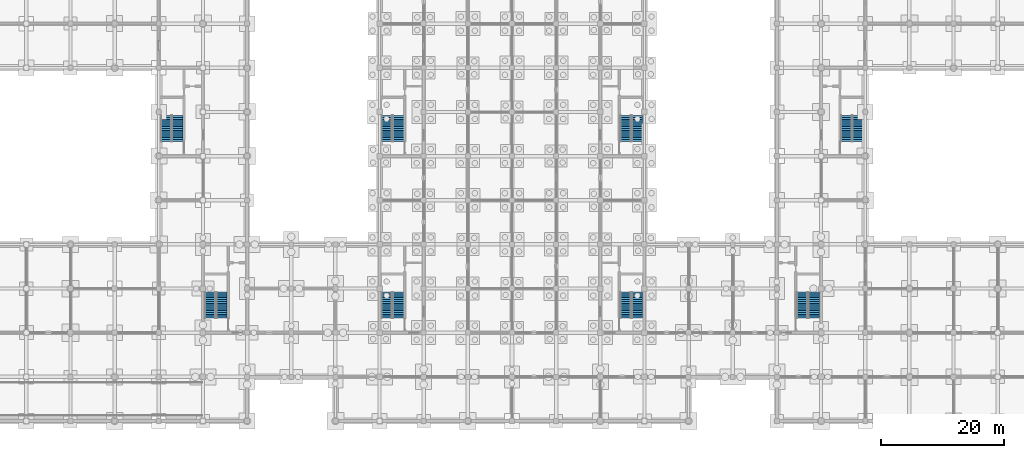
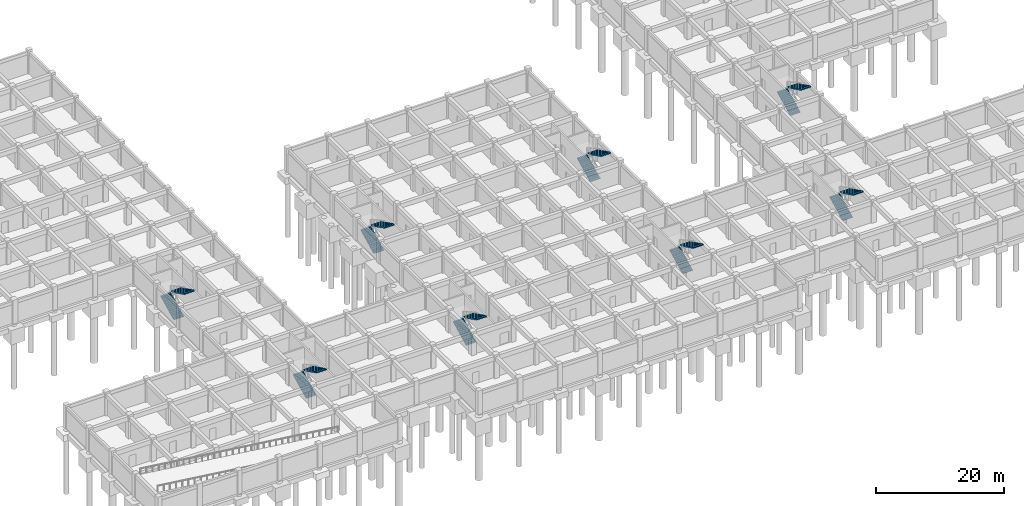
# One storey, part 24 of 25: 16 stair flights, 8 elements without a shape of their own.
"""IFC4 building model written with IfcOpenShell, lengths in metres."""

from ifc_helpers import new_model, si_unit, direction, frame, origin, place, context, subcontext, project, spatial, polyline, outline, extrude, material, type_object, element, aggregate, save


model = new_model("IFC4")

# Units and contexts
model_context = context("Model", 3, precision=1e-05, world=origin(), true_north=direction((0.0, 1.0)))
body_context = subcontext(model_context, "Body", "Model", "MODEL_VIEW")
ifc_project = project(units=[si_unit("LENGTHUNIT", "METRE"), si_unit("AREAUNIT", "SQUARE_METRE"), si_unit("VOLUMEUNIT", "CUBIC_METRE"), si_unit("PLANEANGLEUNIT", "RADIAN"), si_unit("MASSUNIT", "GRAM", prefix="KILO")], contexts=[model_context])

# Site, building, storey
site_placement = place(None, origin())
site = spatial("IfcSite", under=ifc_project, at=site_placement, CompositionType="ELEMENT")
building_placement = place(site_placement, origin())
building = spatial("IfcBuilding", under=site, at=building_placement, Name="Cendaluz Park School", CompositionType="ELEMENT")
storey_placement = place(building_placement, frame((0.0, 0.0, -4.5)))
storey = spatial("IfcBuildingStorey", under=building, at=storey_placement, Name="B1", CompositionType="ELEMENT", Elevation=-4.5)

# Stair, stair flights
ifc_material = material(Name="Concrete C40/50", Category="concrete")
stair_type = type_object("IfcStairType", Name="ST-450-180", PredefinedType="HALF_TURN_STAIR", material=ifc_material)
stair_1_placement = place(storey_placement, origin())
stair_1 = element("IfcStair", 1, at=stair_1_placement, inside=storey, type_object=stair_type, Name="ST-B1-C1", PredefinedType="HALF_TURN_STAIR")
stair_flight_type = type_object("IfcStairFlightType", Name="SF-15-150-180", PredefinedType="STRAIGHT", material=ifc_material)
stair_flight_1_placement = place(storey_placement, frame((65.989990234375, 16.800048828125, 0.0), z_axis=(0.0, 0.0, 1.0), x_axis=(0.0, 1.0, 0.0)))
stair_flight_1 = element("IfcStairFlight", 2, at=stair_flight_1_placement, type_object=stair_flight_type, Name="SF-B1-C1-1", NumberOfRisers=15, NumberOfTreads=14, PredefinedType="STRAIGHT", RiserHeight=0.15, TreadLength=0.3, context=body_context, shape_type="SweptSolid", body=[
    extrude(outline(polyline([(0.0, 0.0), (0.0, 0.14990234375), (0.300048828125, 0.14990234375), (0.300048828125, 0.300048828125), (0.60009765625, 0.300048828125), (0.60009765625, 0.449951171875), (0.89990234375, 0.449951171875), (0.89990234375, 0.60009765625), (1.199951171875, 0.60009765625), (1.199951171875, 0.75), (1.5, 0.75), (1.5, 0.89990234375), (1.800048828125, 0.89990234375), (1.800048828125, 1.050048828125), (2.10009765625, 1.050048828125), (2.10009765625, 1.199951171875), (2.39990234375, 1.199951171875), (2.39990234375, 1.35009765625), (2.699951171875, 1.35009765625), (2.699951171875, 1.5), (3.0, 1.5), (3.0, 1.64990234375), (3.300048828125, 1.64990234375), (3.300048828125, 1.800048828125), (3.60009765625, 1.800048828125), (3.60009765625, 1.949951171875), (3.89990234375, 1.949951171875), (3.89990234375, 2.10009765625), (4.199951171875, 2.10009765625), (4.199951171875, 2.25), (4.199951171875, 1.89892578125), (0.40234375, 0.0), (0.0, 0.0)])), frame((0.0, 0.89990234375, 0.0), z_axis=(0.0, -1.0, 0.0), x_axis=(1.0, 0.0, 0.0)), (0.0, 0.0, 1.0), 1.800048828125),
])
stair_flight_2_placement = place(storey_placement, frame((67.860107421875, 21.0, 2.25), z_axis=(0.0, 0.0, 1.0), x_axis=(0.0, -1.0, 0.0)))
stair_flight_2 = element("IfcStairFlight", 3, at=stair_flight_2_placement, type_object=stair_flight_type, Name="SF-B1-C1-2", NumberOfRisers=15, NumberOfTreads=14, PredefinedType="STRAIGHT", RiserHeight=0.15, TreadLength=0.3, context=body_context, shape_type="SweptSolid", body=[
    extrude(outline(polyline([(0.0, 0.0), (0.0, 0.14990234375), (0.300048828125, 0.14990234375), (0.300048828125, 0.300048828125), (0.60009765625, 0.300048828125), (0.60009765625, 0.449951171875), (0.89990234375, 0.449951171875), (0.89990234375, 0.60009765625), (1.199951171875, 0.60009765625), (1.199951171875, 0.75), (1.5, 0.75), (1.5, 0.89990234375), (1.800048828125, 0.89990234375), (1.800048828125, 1.050048828125), (2.10009765625, 1.050048828125), (2.10009765625, 1.199951171875), (2.39990234375, 1.199951171875), (2.39990234375, 1.35009765625), (2.699951171875, 1.35009765625), (2.699951171875, 1.5), (3.0, 1.5), (3.0, 1.64990234375), (3.300048828125, 1.64990234375), (3.300048828125, 1.800048828125), (3.60009765625, 1.800048828125), (3.60009765625, 1.949951171875), (3.89990234375, 1.949951171875), (3.89990234375, 2.10009765625), (4.199951171875, 2.10009765625), (4.199951171875, 2.25), (4.199951171875, 1.89892578125), (0.40234375, 0.0), (0.0, 0.0)])), frame((0.0, 0.89990234375, 0.0), z_axis=(0.0, -1.0, 0.0), x_axis=(1.0, 0.0, 0.0)), (0.0, 0.0, 1.0), 1.800048828125),
])
aggregate(stair_1, [stair_flight_1, stair_flight_2])

stair_2_placement = place(storey_placement, origin())
stair_2 = element("IfcStair", 4, at=stair_2_placement, inside=storey, type_object=stair_type, Name="ST-B1-C2", PredefinedType="HALF_TURN_STAIR")
stair_flight_3_placement = place(storey_placement, frame((104.93994140625, 16.800048828125, 0.0), z_axis=(0.0, 0.0, 1.0), x_axis=(0.0, 1.0, 0.0)))
stair_flight_3 = element("IfcStairFlight", 5, at=stair_flight_3_placement, type_object=stair_flight_type, Name="SF-B1-C2-1", NumberOfRisers=15, NumberOfTreads=14, PredefinedType="STRAIGHT", RiserHeight=0.15, TreadLength=0.3, context=body_context, shape_type="SweptSolid", body=[
    extrude(outline(polyline([(0.0, 0.0), (0.0, 0.14990234375), (0.300048828125, 0.14990234375), (0.300048828125, 0.300048828125), (0.60009765625, 0.300048828125), (0.60009765625, 0.449951171875), (0.89990234375, 0.449951171875), (0.89990234375, 0.60009765625), (1.199951171875, 0.60009765625), (1.199951171875, 0.75), (1.5, 0.75), (1.5, 0.89990234375), (1.800048828125, 0.89990234375), (1.800048828125, 1.050048828125), (2.10009765625, 1.050048828125), (2.10009765625, 1.199951171875), (2.39990234375, 1.199951171875), (2.39990234375, 1.35009765625), (2.699951171875, 1.35009765625), (2.699951171875, 1.5), (3.0, 1.5), (3.0, 1.64990234375), (3.300048828125, 1.64990234375), (3.300048828125, 1.800048828125), (3.60009765625, 1.800048828125), (3.60009765625, 1.949951171875), (3.89990234375, 1.949951171875), (3.89990234375, 2.10009765625), (4.199951171875, 2.10009765625), (4.199951171875, 2.25), (4.199951171875, 1.89892578125), (0.40234375, 0.0), (0.0, 0.0)])), frame((0.0, 0.89990234375, 0.0), z_axis=(0.0, -1.0, 0.0), x_axis=(1.0, 0.0, 0.0)), (0.0, 0.0, 1.0), 1.800048828125),
])
stair_flight_4_placement = place(storey_placement, frame((106.81005859375, 21.0, 2.25), z_axis=(0.0, 0.0, 1.0), x_axis=(0.0, -1.0, 0.0)))
stair_flight_4 = element("IfcStairFlight", 6, at=stair_flight_4_placement, type_object=stair_flight_type, Name="SF-B1-C2-2", NumberOfRisers=15, NumberOfTreads=14, PredefinedType="STRAIGHT", RiserHeight=0.15, TreadLength=0.3, context=body_context, shape_type="SweptSolid", body=[
    extrude(outline(polyline([(0.0, 0.0), (0.0, 0.14990234375), (0.300048828125, 0.14990234375), (0.300048828125, 0.300048828125), (0.60009765625, 0.300048828125), (0.60009765625, 0.449951171875), (0.89990234375, 0.449951171875), (0.89990234375, 0.60009765625), (1.199951171875, 0.60009765625), (1.199951171875, 0.75), (1.5, 0.75), (1.5, 0.89990234375), (1.800048828125, 0.89990234375), (1.800048828125, 1.050048828125), (2.10009765625, 1.050048828125), (2.10009765625, 1.199951171875), (2.39990234375, 1.199951171875), (2.39990234375, 1.35009765625), (2.699951171875, 1.35009765625), (2.699951171875, 1.5), (3.0, 1.5), (3.0, 1.64990234375), (3.300048828125, 1.64990234375), (3.300048828125, 1.800048828125), (3.60009765625, 1.800048828125), (3.60009765625, 1.949951171875), (3.89990234375, 1.949951171875), (3.89990234375, 2.10009765625), (4.199951171875, 2.10009765625), (4.199951171875, 2.25), (4.199951171875, 1.89892578125), (0.40234375, 0.0), (0.0, 0.0)])), frame((0.0, 0.89990234375, 0.0), z_axis=(0.0, -1.0, 0.0), x_axis=(1.0, 0.0, 0.0)), (0.0, 0.0, 1.0), 1.800048828125),
])
aggregate(stair_2, [stair_flight_3, stair_flight_4])

stair_3_placement = place(storey_placement, origin())
stair_3 = element("IfcStair", 7, at=stair_3_placement, inside=storey, type_object=stair_type, Name="ST-B1-C3", PredefinedType="HALF_TURN_STAIR")
stair_flight_5_placement = place(storey_placement, frame((65.989990234375, 45.60009765625, 0.0), z_axis=(0.0, 0.0, 1.0), x_axis=(0.0, 1.0, 0.0)))
stair_flight_5 = element("IfcStairFlight", 8, at=stair_flight_5_placement, type_object=stair_flight_type, Name="SF-B1-C3-1", NumberOfRisers=15, NumberOfTreads=14, PredefinedType="STRAIGHT", RiserHeight=0.15, TreadLength=0.3, context=body_context, shape_type="SweptSolid", body=[
    extrude(outline(polyline([(0.0, 0.0), (0.0, 0.14990234375), (0.300048828125, 0.14990234375), (0.300048828125, 0.300048828125), (0.60009765625, 0.300048828125), (0.60009765625, 0.449951171875), (0.89990234375, 0.449951171875), (0.89990234375, 0.60009765625), (1.199951171875, 0.60009765625), (1.199951171875, 0.75), (1.5, 0.75), (1.5, 0.89990234375), (1.800048828125, 0.89990234375), (1.800048828125, 1.050048828125), (2.10009765625, 1.050048828125), (2.10009765625, 1.199951171875), (2.39990234375, 1.199951171875), (2.39990234375, 1.35009765625), (2.699951171875, 1.35009765625), (2.699951171875, 1.5), (3.0, 1.5), (3.0, 1.64990234375), (3.300048828125, 1.64990234375), (3.300048828125, 1.800048828125), (3.60009765625, 1.800048828125), (3.60009765625, 1.949951171875), (3.89990234375, 1.949951171875), (3.89990234375, 2.10009765625), (4.199951171875, 2.10009765625), (4.199951171875, 2.25), (4.199951171875, 1.89892578125), (0.40234375, 0.0), (0.0, 0.0)])), frame((0.0, 0.89990234375, 0.0), z_axis=(0.0, -1.0, 0.0), x_axis=(1.0, 0.0, 0.0)), (0.0, 0.0, 1.0), 1.800048828125),
])
stair_flight_6_placement = place(storey_placement, frame((67.860107421875, 49.800048828125, 2.25), z_axis=(0.0, 0.0, 1.0), x_axis=(0.0, -1.0, 0.0)))
stair_flight_6 = element("IfcStairFlight", 9, at=stair_flight_6_placement, type_object=stair_flight_type, Name="SF-B1-C3-2", NumberOfRisers=15, NumberOfTreads=14, PredefinedType="STRAIGHT", RiserHeight=0.15, TreadLength=0.3, context=body_context, shape_type="SweptSolid", body=[
    extrude(outline(polyline([(0.0, 0.0), (0.0, 0.14990234375), (0.300048828125, 0.14990234375), (0.300048828125, 0.300048828125), (0.60009765625, 0.300048828125), (0.60009765625, 0.449951171875), (0.89990234375, 0.449951171875), (0.89990234375, 0.60009765625), (1.199951171875, 0.60009765625), (1.199951171875, 0.75), (1.5, 0.75), (1.5, 0.89990234375), (1.800048828125, 0.89990234375), (1.800048828125, 1.050048828125), (2.10009765625, 1.050048828125), (2.10009765625, 1.199951171875), (2.39990234375, 1.199951171875), (2.39990234375, 1.35009765625), (2.699951171875, 1.35009765625), (2.699951171875, 1.5), (3.0, 1.5), (3.0, 1.64990234375), (3.300048828125, 1.64990234375), (3.300048828125, 1.800048828125), (3.60009765625, 1.800048828125), (3.60009765625, 1.949951171875), (3.89990234375, 1.949951171875), (3.89990234375, 2.10009765625), (4.199951171875, 2.10009765625), (4.199951171875, 2.25), (4.199951171875, 1.89892578125), (0.40234375, 0.0), (0.0, 0.0)])), frame((0.0, 0.89990234375, 0.0), z_axis=(0.0, -1.0, 0.0), x_axis=(1.0, 0.0, 0.0)), (0.0, 0.0, 1.0), 1.800048828125),
])
aggregate(stair_3, [stair_flight_5, stair_flight_6])

stair_4_placement = place(storey_placement, origin())
stair_4 = element("IfcStair", 10, at=stair_4_placement, inside=storey, type_object=stair_type, Name="ST-B1-C4", PredefinedType="HALF_TURN_STAIR")
stair_flight_7_placement = place(storey_placement, frame((104.93994140625, 45.60009765625, 0.0), z_axis=(0.0, 0.0, 1.0), x_axis=(0.0, 1.0, 0.0)))
stair_flight_7 = element("IfcStairFlight", 11, at=stair_flight_7_placement, type_object=stair_flight_type, Name="SF-B1-C4-1", NumberOfRisers=15, NumberOfTreads=14, PredefinedType="STRAIGHT", RiserHeight=0.15, TreadLength=0.3, context=body_context, shape_type="SweptSolid", body=[
    extrude(outline(polyline([(0.0, 0.0), (0.0, 0.14990234375), (0.300048828125, 0.14990234375), (0.300048828125, 0.300048828125), (0.60009765625, 0.300048828125), (0.60009765625, 0.449951171875), (0.89990234375, 0.449951171875), (0.89990234375, 0.60009765625), (1.199951171875, 0.60009765625), (1.199951171875, 0.75), (1.5, 0.75), (1.5, 0.89990234375), (1.800048828125, 0.89990234375), (1.800048828125, 1.050048828125), (2.10009765625, 1.050048828125), (2.10009765625, 1.199951171875), (2.39990234375, 1.199951171875), (2.39990234375, 1.35009765625), (2.699951171875, 1.35009765625), (2.699951171875, 1.5), (3.0, 1.5), (3.0, 1.64990234375), (3.300048828125, 1.64990234375), (3.300048828125, 1.800048828125), (3.60009765625, 1.800048828125), (3.60009765625, 1.949951171875), (3.89990234375, 1.949951171875), (3.89990234375, 2.10009765625), (4.199951171875, 2.10009765625), (4.199951171875, 2.25), (4.199951171875, 1.89892578125), (0.40234375, 0.0), (0.0, 0.0)])), frame((0.0, 0.89990234375, 0.0), z_axis=(0.0, -1.0, 0.0), x_axis=(1.0, 0.0, 0.0)), (0.0, 0.0, 1.0), 1.800048828125),
])
stair_flight_8_placement = place(storey_placement, frame((106.81005859375, 49.800048828125, 2.25), z_axis=(0.0, 0.0, 1.0), x_axis=(0.0, -1.0, 0.0)))
stair_flight_8 = element("IfcStairFlight", 12, at=stair_flight_8_placement, type_object=stair_flight_type, Name="SF-B1-C4-2", NumberOfRisers=15, NumberOfTreads=14, PredefinedType="STRAIGHT", RiserHeight=0.15, TreadLength=0.3, context=body_context, shape_type="SweptSolid", body=[
    extrude(outline(polyline([(0.0, 0.0), (0.0, 0.14990234375), (0.300048828125, 0.14990234375), (0.300048828125, 0.300048828125), (0.60009765625, 0.300048828125), (0.60009765625, 0.449951171875), (0.89990234375, 0.449951171875), (0.89990234375, 0.60009765625), (1.199951171875, 0.60009765625), (1.199951171875, 0.75), (1.5, 0.75), (1.5, 0.89990234375), (1.800048828125, 0.89990234375), (1.800048828125, 1.050048828125), (2.10009765625, 1.050048828125), (2.10009765625, 1.199951171875), (2.39990234375, 1.199951171875), (2.39990234375, 1.35009765625), (2.699951171875, 1.35009765625), (2.699951171875, 1.5), (3.0, 1.5), (3.0, 1.64990234375), (3.300048828125, 1.64990234375), (3.300048828125, 1.800048828125), (3.60009765625, 1.800048828125), (3.60009765625, 1.949951171875), (3.89990234375, 1.949951171875), (3.89990234375, 2.10009765625), (4.199951171875, 2.10009765625), (4.199951171875, 2.25), (4.199951171875, 1.89892578125), (0.40234375, 0.0), (0.0, 0.0)])), frame((0.0, 0.89990234375, 0.0), z_axis=(0.0, -1.0, 0.0), x_axis=(1.0, 0.0, 0.0)), (0.0, 0.0, 1.0), 1.800048828125),
])
aggregate(stair_4, [stair_flight_7, stair_flight_8])

stair_5_placement = place(storey_placement, origin())
stair_5 = element("IfcStair", 13, at=stair_5_placement, inside=storey, type_object=stair_type, Name="ST-B1-C5", PredefinedType="HALF_TURN_STAIR")
stair_flight_9_placement = place(storey_placement, frame((37.18994140625, 16.800048828125, 0.0), z_axis=(0.0, 0.0, 1.0), x_axis=(0.0, 1.0, 0.0)))
stair_flight_9 = element("IfcStairFlight", 14, at=stair_flight_9_placement, type_object=stair_flight_type, Name="SF-B1-C5-1", NumberOfRisers=15, NumberOfTreads=14, PredefinedType="STRAIGHT", RiserHeight=0.15, TreadLength=0.3, context=body_context, shape_type="SweptSolid", body=[
    extrude(outline(polyline([(0.0, 0.0), (0.0, 0.14990234375), (0.300048828125, 0.14990234375), (0.300048828125, 0.300048828125), (0.60009765625, 0.300048828125), (0.60009765625, 0.449951171875), (0.89990234375, 0.449951171875), (0.89990234375, 0.60009765625), (1.199951171875, 0.60009765625), (1.199951171875, 0.75), (1.5, 0.75), (1.5, 0.89990234375), (1.800048828125, 0.89990234375), (1.800048828125, 1.050048828125), (2.10009765625, 1.050048828125), (2.10009765625, 1.199951171875), (2.39990234375, 1.199951171875), (2.39990234375, 1.35009765625), (2.699951171875, 1.35009765625), (2.699951171875, 1.5), (3.0, 1.5), (3.0, 1.64990234375), (3.300048828125, 1.64990234375), (3.300048828125, 1.800048828125), (3.60009765625, 1.800048828125), (3.60009765625, 1.949951171875), (3.89990234375, 1.949951171875), (3.89990234375, 2.10009765625), (4.199951171875, 2.10009765625), (4.199951171875, 2.25), (4.199951171875, 1.89892578125), (0.40234375, 0.0), (0.0, 0.0)])), frame((0.0, 0.89990234375, 0.0), z_axis=(0.0, -1.0, 0.0), x_axis=(1.0, 0.0, 0.0)), (0.0, 0.0, 1.0), 1.800048828125),
])
stair_flight_10_placement = place(storey_placement, frame((39.06005859375, 21.0, 2.25), z_axis=(0.0, 0.0, 1.0), x_axis=(0.0, -1.0, 0.0)))
stair_flight_10 = element("IfcStairFlight", 15, at=stair_flight_10_placement, type_object=stair_flight_type, Name="SF-B1-C5-2", NumberOfRisers=15, NumberOfTreads=14, PredefinedType="STRAIGHT", RiserHeight=0.15, TreadLength=0.3, context=body_context, shape_type="SweptSolid", body=[
    extrude(outline(polyline([(0.0, 0.0), (0.0, 0.14990234375), (0.300048828125, 0.14990234375), (0.300048828125, 0.300048828125), (0.60009765625, 0.300048828125), (0.60009765625, 0.449951171875), (0.89990234375, 0.449951171875), (0.89990234375, 0.60009765625), (1.199951171875, 0.60009765625), (1.199951171875, 0.75), (1.5, 0.75), (1.5, 0.89990234375), (1.800048828125, 0.89990234375), (1.800048828125, 1.050048828125), (2.10009765625, 1.050048828125), (2.10009765625, 1.199951171875), (2.39990234375, 1.199951171875), (2.39990234375, 1.35009765625), (2.699951171875, 1.35009765625), (2.699951171875, 1.5), (3.0, 1.5), (3.0, 1.64990234375), (3.300048828125, 1.64990234375), (3.300048828125, 1.800048828125), (3.60009765625, 1.800048828125), (3.60009765625, 1.949951171875), (3.89990234375, 1.949951171875), (3.89990234375, 2.10009765625), (4.199951171875, 2.10009765625), (4.199951171875, 2.25), (4.199951171875, 1.89892578125), (0.40234375, 0.0), (0.0, 0.0)])), frame((0.0, 0.89990234375, 0.0), z_axis=(0.0, -1.0, 0.0), x_axis=(1.0, 0.0, 0.0)), (0.0, 0.0, 1.0), 1.800048828125),
])
aggregate(stair_5, [stair_flight_9, stair_flight_10])

stair_6_placement = place(storey_placement, origin())
stair_6 = element("IfcStair", 16, at=stair_6_placement, inside=storey, type_object=stair_type, Name="ST-B1-C6", PredefinedType="HALF_TURN_STAIR")
stair_flight_11_placement = place(storey_placement, frame((133.739990234375, 16.800048828125, 0.0), z_axis=(0.0, 0.0, 1.0), x_axis=(0.0, 1.0, 0.0)))
stair_flight_11 = element("IfcStairFlight", 17, at=stair_flight_11_placement, type_object=stair_flight_type, Name="SF-B1-C6-1", NumberOfRisers=15, NumberOfTreads=14, PredefinedType="STRAIGHT", RiserHeight=0.15, TreadLength=0.3, context=body_context, shape_type="SweptSolid", body=[
    extrude(outline(polyline([(0.0, 0.0), (0.0, 0.14990234375), (0.300048828125, 0.14990234375), (0.300048828125, 0.300048828125), (0.60009765625, 0.300048828125), (0.60009765625, 0.449951171875), (0.89990234375, 0.449951171875), (0.89990234375, 0.60009765625), (1.199951171875, 0.60009765625), (1.199951171875, 0.75), (1.5, 0.75), (1.5, 0.89990234375), (1.800048828125, 0.89990234375), (1.800048828125, 1.050048828125), (2.10009765625, 1.050048828125), (2.10009765625, 1.199951171875), (2.39990234375, 1.199951171875), (2.39990234375, 1.35009765625), (2.699951171875, 1.35009765625), (2.699951171875, 1.5), (3.0, 1.5), (3.0, 1.64990234375), (3.300048828125, 1.64990234375), (3.300048828125, 1.800048828125), (3.60009765625, 1.800048828125), (3.60009765625, 1.949951171875), (3.89990234375, 1.949951171875), (3.89990234375, 2.10009765625), (4.199951171875, 2.10009765625), (4.199951171875, 2.25), (4.199951171875, 1.89892578125), (0.40234375, 0.0), (0.0, 0.0)])), frame((0.0, 0.89990234375, 0.0), z_axis=(0.0, -1.0, 0.0), x_axis=(1.0, 0.0, 0.0)), (0.0, 0.0, 1.0), 1.800048828125),
])
stair_flight_12_placement = place(storey_placement, frame((135.610107421875, 21.0, 2.25), z_axis=(0.0, 0.0, 1.0), x_axis=(0.0, -1.0, 0.0)))
stair_flight_12 = element("IfcStairFlight", 18, at=stair_flight_12_placement, type_object=stair_flight_type, Name="SF-B1-C6-2", NumberOfRisers=15, NumberOfTreads=14, PredefinedType="STRAIGHT", RiserHeight=0.15, TreadLength=0.3, context=body_context, shape_type="SweptSolid", body=[
    extrude(outline(polyline([(0.0, 0.0), (0.0, 0.14990234375), (0.300048828125, 0.14990234375), (0.300048828125, 0.300048828125), (0.60009765625, 0.300048828125), (0.60009765625, 0.449951171875), (0.89990234375, 0.449951171875), (0.89990234375, 0.60009765625), (1.199951171875, 0.60009765625), (1.199951171875, 0.75), (1.5, 0.75), (1.5, 0.89990234375), (1.800048828125, 0.89990234375), (1.800048828125, 1.050048828125), (2.10009765625, 1.050048828125), (2.10009765625, 1.199951171875), (2.39990234375, 1.199951171875), (2.39990234375, 1.35009765625), (2.699951171875, 1.35009765625), (2.699951171875, 1.5), (3.0, 1.5), (3.0, 1.64990234375), (3.300048828125, 1.64990234375), (3.300048828125, 1.800048828125), (3.60009765625, 1.800048828125), (3.60009765625, 1.949951171875), (3.89990234375, 1.949951171875), (3.89990234375, 2.10009765625), (4.199951171875, 2.10009765625), (4.199951171875, 2.25), (4.199951171875, 1.89892578125), (0.40234375, 0.0), (0.0, 0.0)])), frame((0.0, 0.89990234375, 0.0), z_axis=(0.0, -1.0, 0.0), x_axis=(1.0, 0.0, 0.0)), (0.0, 0.0, 1.0), 1.800048828125),
])
aggregate(stair_6, [stair_flight_11, stair_flight_12])

stair_7_placement = place(storey_placement, origin())
stair_7 = element("IfcStair", 19, at=stair_7_placement, inside=storey, type_object=stair_type, Name="ST-B1-C7", PredefinedType="HALF_TURN_STAIR")
stair_flight_13_placement = place(storey_placement, frame((29.989990234375, 45.60009765625, 0.0), z_axis=(0.0, 0.0, 1.0), x_axis=(0.0, 1.0, 0.0)))
stair_flight_13 = element("IfcStairFlight", 20, at=stair_flight_13_placement, type_object=stair_flight_type, Name="SF-B1-C7-1", NumberOfRisers=15, NumberOfTreads=14, PredefinedType="STRAIGHT", RiserHeight=0.15, TreadLength=0.3, context=body_context, shape_type="SweptSolid", body=[
    extrude(outline(polyline([(0.0, 0.0), (0.0, 0.14990234375), (0.300048828125, 0.14990234375), (0.300048828125, 0.300048828125), (0.60009765625, 0.300048828125), (0.60009765625, 0.449951171875), (0.89990234375, 0.449951171875), (0.89990234375, 0.60009765625), (1.199951171875, 0.60009765625), (1.199951171875, 0.75), (1.5, 0.75), (1.5, 0.89990234375), (1.800048828125, 0.89990234375), (1.800048828125, 1.050048828125), (2.10009765625, 1.050048828125), (2.10009765625, 1.199951171875), (2.39990234375, 1.199951171875), (2.39990234375, 1.35009765625), (2.699951171875, 1.35009765625), (2.699951171875, 1.5), (3.0, 1.5), (3.0, 1.64990234375), (3.300048828125, 1.64990234375), (3.300048828125, 1.800048828125), (3.60009765625, 1.800048828125), (3.60009765625, 1.949951171875), (3.89990234375, 1.949951171875), (3.89990234375, 2.10009765625), (4.199951171875, 2.10009765625), (4.199951171875, 2.25), (4.199951171875, 1.89892578125), (0.40234375, 0.0), (0.0, 0.0)])), frame((0.0, 0.89990234375, 0.0), z_axis=(0.0, -1.0, 0.0), x_axis=(1.0, 0.0, 0.0)), (0.0, 0.0, 1.0), 1.800048828125),
])
stair_flight_14_placement = place(storey_placement, frame((31.860107421875, 49.800048828125, 2.25), z_axis=(0.0, 0.0, 1.0), x_axis=(0.0, -1.0, 0.0)))
stair_flight_14 = element("IfcStairFlight", 21, at=stair_flight_14_placement, type_object=stair_flight_type, Name="SF-B1-C7-2", NumberOfRisers=15, NumberOfTreads=14, PredefinedType="STRAIGHT", RiserHeight=0.15, TreadLength=0.3, context=body_context, shape_type="SweptSolid", body=[
    extrude(outline(polyline([(0.0, 0.0), (0.0, 0.14990234375), (0.300048828125, 0.14990234375), (0.300048828125, 0.300048828125), (0.60009765625, 0.300048828125), (0.60009765625, 0.449951171875), (0.89990234375, 0.449951171875), (0.89990234375, 0.60009765625), (1.199951171875, 0.60009765625), (1.199951171875, 0.75), (1.5, 0.75), (1.5, 0.89990234375), (1.800048828125, 0.89990234375), (1.800048828125, 1.050048828125), (2.10009765625, 1.050048828125), (2.10009765625, 1.199951171875), (2.39990234375, 1.199951171875), (2.39990234375, 1.35009765625), (2.699951171875, 1.35009765625), (2.699951171875, 1.5), (3.0, 1.5), (3.0, 1.64990234375), (3.300048828125, 1.64990234375), (3.300048828125, 1.800048828125), (3.60009765625, 1.800048828125), (3.60009765625, 1.949951171875), (3.89990234375, 1.949951171875), (3.89990234375, 2.10009765625), (4.199951171875, 2.10009765625), (4.199951171875, 2.25), (4.199951171875, 1.89892578125), (0.40234375, 0.0), (0.0, 0.0)])), frame((0.0, 0.89990234375, 0.0), z_axis=(0.0, -1.0, 0.0), x_axis=(1.0, 0.0, 0.0)), (0.0, 0.0, 1.0), 1.800048828125),
])
aggregate(stair_7, [stair_flight_13, stair_flight_14])

stair_8_placement = place(storey_placement, origin())
stair_8 = element("IfcStair", 22, at=stair_8_placement, inside=storey, type_object=stair_type, Name="ST-B1-C8", PredefinedType="HALF_TURN_STAIR")
stair_flight_15_placement = place(storey_placement, frame((140.93994140625, 45.60009765625, 0.0), z_axis=(0.0, 0.0, 1.0), x_axis=(0.0, 1.0, 0.0)))
stair_flight_15 = element("IfcStairFlight", 23, at=stair_flight_15_placement, type_object=stair_flight_type, Name="SF-B1-C8-1", NumberOfRisers=15, NumberOfTreads=14, PredefinedType="STRAIGHT", RiserHeight=0.15, TreadLength=0.3, context=body_context, shape_type="SweptSolid", body=[
    extrude(outline(polyline([(0.0, 0.0), (0.0, 0.14990234375), (0.300048828125, 0.14990234375), (0.300048828125, 0.300048828125), (0.60009765625, 0.300048828125), (0.60009765625, 0.449951171875), (0.89990234375, 0.449951171875), (0.89990234375, 0.60009765625), (1.199951171875, 0.60009765625), (1.199951171875, 0.75), (1.5, 0.75), (1.5, 0.89990234375), (1.800048828125, 0.89990234375), (1.800048828125, 1.050048828125), (2.10009765625, 1.050048828125), (2.10009765625, 1.199951171875), (2.39990234375, 1.199951171875), (2.39990234375, 1.35009765625), (2.699951171875, 1.35009765625), (2.699951171875, 1.5), (3.0, 1.5), (3.0, 1.64990234375), (3.300048828125, 1.64990234375), (3.300048828125, 1.800048828125), (3.60009765625, 1.800048828125), (3.60009765625, 1.949951171875), (3.89990234375, 1.949951171875), (3.89990234375, 2.10009765625), (4.199951171875, 2.10009765625), (4.199951171875, 2.25), (4.199951171875, 1.89892578125), (0.40234375, 0.0), (0.0, 0.0)])), frame((0.0, 0.89990234375, 0.0), z_axis=(0.0, -1.0, 0.0), x_axis=(1.0, 0.0, 0.0)), (0.0, 0.0, 1.0), 1.800048828125),
])
stair_flight_16_placement = place(storey_placement, frame((142.81005859375, 49.800048828125, 2.25), z_axis=(0.0, 0.0, 1.0), x_axis=(0.0, -1.0, 0.0)))
stair_flight_16 = element("IfcStairFlight", 24, at=stair_flight_16_placement, type_object=stair_flight_type, Name="SF-B1-C8-2", NumberOfRisers=15, NumberOfTreads=14, PredefinedType="STRAIGHT", RiserHeight=0.15, TreadLength=0.3, context=body_context, shape_type="SweptSolid", body=[
    extrude(outline(polyline([(0.0, 0.0), (0.0, 0.14990234375), (0.300048828125, 0.14990234375), (0.300048828125, 0.300048828125), (0.60009765625, 0.300048828125), (0.60009765625, 0.449951171875), (0.89990234375, 0.449951171875), (0.89990234375, 0.60009765625), (1.199951171875, 0.60009765625), (1.199951171875, 0.75), (1.5, 0.75), (1.5, 0.89990234375), (1.800048828125, 0.89990234375), (1.800048828125, 1.050048828125), (2.10009765625, 1.050048828125), (2.10009765625, 1.199951171875), (2.39990234375, 1.199951171875), (2.39990234375, 1.35009765625), (2.699951171875, 1.35009765625), (2.699951171875, 1.5), (3.0, 1.5), (3.0, 1.64990234375), (3.300048828125, 1.64990234375), (3.300048828125, 1.800048828125), (3.60009765625, 1.800048828125), (3.60009765625, 1.949951171875), (3.89990234375, 1.949951171875), (3.89990234375, 2.10009765625), (4.199951171875, 2.10009765625), (4.199951171875, 2.25), (4.199951171875, 1.89892578125), (0.40234375, 0.0), (0.0, 0.0)])), frame((0.0, 0.89990234375, 0.0), z_axis=(0.0, -1.0, 0.0), x_axis=(1.0, 0.0, 0.0)), (0.0, 0.0, 1.0), 1.800048828125),
])
aggregate(stair_8, [stair_flight_15, stair_flight_16])

save(model, "model.ifc")
